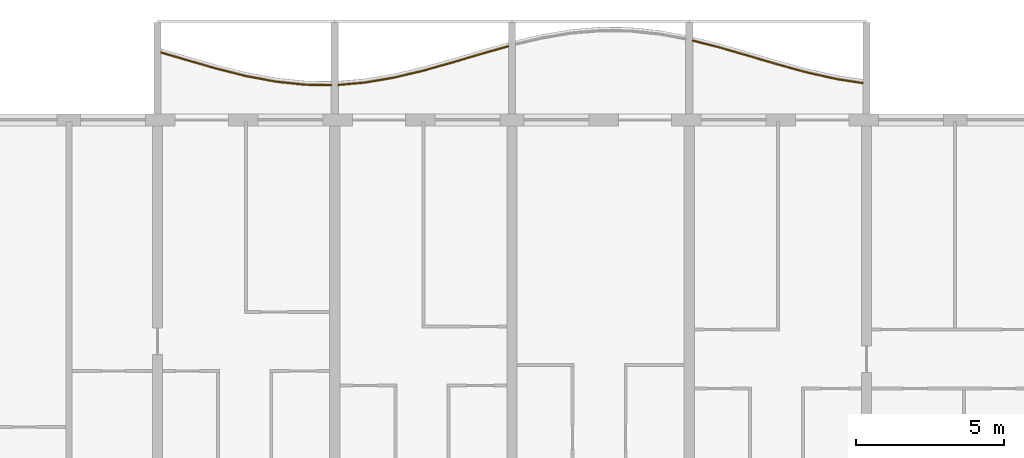
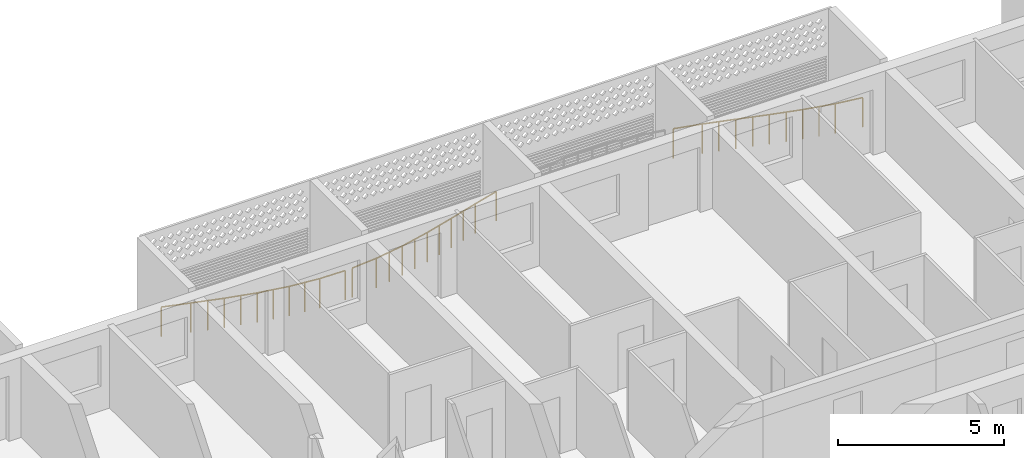
# One storey, part 19 of 24: 3 railings.
"""IFC4 building model written with IfcOpenShell, lengths in metres."""

from ifc_helpers import new_model, si_unit, direction, frame, origin, origin_2d, place, context, subcontext, project, spatial, circle, extrude, material, type_object, element, save


model = new_model("IFC4")

# Units and contexts
model_context = context("Model", 3, precision=1e-05, world=origin(), true_north=direction((0.0, 1.0)))
body_context = subcontext(model_context, "Body", "Model", "MODEL_VIEW")
ifc_project = project(units=[si_unit("LENGTHUNIT", "METRE"), si_unit("AREAUNIT", "SQUARE_METRE"), si_unit("VOLUMEUNIT", "CUBIC_METRE"), si_unit("PLANEANGLEUNIT", "RADIAN"), si_unit("MASSUNIT", "GRAM", prefix="KILO")], contexts=[model_context])

# Site, building, storey
site_placement = place(None, origin())
site = spatial("IfcSite", under=ifc_project, at=site_placement, CompositionType="ELEMENT")
building_placement = place(site_placement, origin())
building = spatial("IfcBuilding", under=site, at=building_placement, Name="Poui Terraces", CompositionType="ELEMENT")
storey_placement = place(building_placement, frame((0.0, 0.0, 112.5)))
storey = spatial("IfcBuildingStorey", under=building, at=storey_placement, Name="L31", CompositionType="ELEMENT", Elevation=112.5)

# Railings
ifc_material = material(Name="Painted steel fretwork", Category="steel")
railing_type = type_object("IfcRailingType", Name="BALCONY GUARD 1100", PredefinedType="GUARDRAIL", material=ifc_material)
railing_1_placement = place(storey_placement, frame((48.125, 45.8798828125, 0.0)))
element("IfcRailing", 1, at=railing_1_placement, inside=storey, type_object=railing_type, Name="BALCONY GUARD", PredefinedType="GUARDRAIL", context=body_context, shape_type="SweptSolid", body=[
    extrude(circle(Radius=0.02392578125, at=origin_2d()), frame((0.0, 0.0, 1.076171875), z_axis=(0.9587927149, -0.284106546658, 0.0), x_axis=(0.284106546658, 0.9587927149, 0.0)), (0.0, 0.0, 1.0), 0.91259765625),
    extrude(circle(Radius=0.02392578125, at=origin_2d()), frame((0.875, -0.25927734375, 1.076171875), z_axis=(0.960919647927, -0.276827437635, 0.0), x_axis=(0.276827437635, 0.960919647927, 0.0)), (0.0, 0.0, 1.0), 1.040771484375),
    extrude(circle(Radius=0.02392578125, at=origin_2d()), frame((1.875, -0.54736328125, 1.076171875), z_axis=(0.969919223088, -0.243426992513, 0.0), x_axis=(0.243426992513, 0.969919223088, 0.0)), (0.0, 0.0, 1.0), 1.031005859375),
    extrude(circle(Radius=0.02392578125, at=origin_2d()), frame((2.875, -0.79833984375, 1.076171875), z_axis=(0.982828697247, -0.184520329146, 0.0), x_axis=(0.184520329146, 0.982828697247, 0.0)), (0.0, 0.0, 1.0), 1.017578125),
    extrude(circle(Radius=0.02392578125, at=origin_2d()), frame((3.875, -0.986083984375, 1.076171875), z_axis=(0.994534683851, -0.104406717299, 0.0), x_axis=(0.104406717299, 0.994534683851, 0.0)), (0.0, 0.0, 1.0), 1.005615234375),
    extrude(circle(Radius=0.02392578125, at=origin_2d()), frame((4.875, -1.091064453125, 1.076171875), z_axis=(0.999835580397, -0.018133178774, 0.0), x_axis=(0.018133178774, 0.999835580397, 0.0)), (0.0, 0.0, 1.0), 0.875244140625),
    extrude(circle(Radius=0.02099609375, at=origin_2d()), origin(), (0.0, 0.0, 1.0), 1.052001953125),
    extrude(circle(Radius=0.02099609375, at=origin_2d()), frame((0.875, -0.25927734375, 0.0)), (0.0, 0.0, 1.0), 1.052001953125),
    extrude(circle(Radius=0.02099609375, at=origin_2d()), frame((1.375, -0.4033203125, 0.0)), (0.0, 0.0, 1.0), 1.052001953125),
    extrude(circle(Radius=0.02099609375, at=origin_2d()), frame((1.875, -0.54736328125, 0.0)), (0.0, 0.0, 1.0), 1.052001953125),
    extrude(circle(Radius=0.02099609375, at=origin_2d()), frame((2.375, -0.6728515625, 0.0)), (0.0, 0.0, 1.0), 1.052001953125),
    extrude(circle(Radius=0.02099609375, at=origin_2d()), frame((2.875, -0.79833984375, 0.0)), (0.0, 0.0, 1.0), 1.052001953125),
    extrude(circle(Radius=0.02099609375, at=origin_2d()), frame((3.375, -0.89208984375, 0.0)), (0.0, 0.0, 1.0), 1.052001953125),
    extrude(circle(Radius=0.02099609375, at=origin_2d()), frame((3.875, -0.986083984375, 0.0)), (0.0, 0.0, 1.0), 1.052001953125),
    extrude(circle(Radius=0.02099609375, at=origin_2d()), frame((4.375, -1.03857421875, 0.0)), (0.0, 0.0, 1.0), 1.052001953125),
    extrude(circle(Radius=0.02099609375, at=origin_2d()), frame((4.875, -1.091064453125, 0.0)), (0.0, 0.0, 1.0), 1.052001953125),
    extrude(circle(Radius=0.02099609375, at=origin_2d()), frame((5.75, -1.10693359375, 0.0)), (0.0, 0.0, 1.0), 1.052001953125),
])
railing_2_placement = place(storey_placement, frame((54.125, 44.781982421875, 0.0)))
element("IfcRailing", 2, at=railing_2_placement, inside=storey, type_object=railing_type, Name="BALCONY GUARD", PredefinedType="GUARDRAIL", context=body_context, shape_type="SweptSolid", body=[
    extrude(circle(Radius=0.02392578125, at=origin_2d()), frame((0.0, 0.0, 1.076171875), z_axis=(0.996111219323, 0.088104703272, 0.0), x_axis=(-0.088104703272, 0.996111219323, 0.0)), (0.0, 0.0, 1.0), 0.87841796875),
    extrude(circle(Radius=0.02392578125, at=origin_2d()), frame((0.875, 0.077392578125, 1.076171875), z_axis=(0.986106132513, 0.166116511581, 0.0), x_axis=(-0.166116511581, 0.986106132513, 0.0)), (0.0, 0.0, 1.0), 1.01416015625),
    extrude(circle(Radius=0.02392578125, at=origin_2d()), frame((1.875, 0.245849609375, 1.076171875), z_axis=(0.972979257535, 0.230892538653, 0.0), x_axis=(-0.230892538653, 0.972979257535, 0.0)), (0.0, 0.0, 1.0), 1.02783203125),
    extrude(circle(Radius=0.02392578125, at=origin_2d()), frame((2.875, 0.483154296875, 1.076171875), z_axis=(0.962589664763, 0.270963350457, 0.0), x_axis=(-0.270963350457, 0.962589664763, 0.0)), (0.0, 0.0, 1.0), 1.038818359375),
    extrude(circle(Radius=0.02392578125, at=origin_2d()), frame((3.875, 0.7646484375, 1.076171875), z_axis=(0.958646866278, 0.284598288426, 0.0), x_axis=(-0.284598288426, 0.958646866278, 0.0)), (0.0, 0.0, 1.0), 1.043212890625),
    extrude(circle(Radius=0.02392578125, at=origin_2d()), frame((4.875, 1.0615234375, 1.076171875), z_axis=(0.962089167331, 0.272735098775, 0.0), x_axis=(-0.272735098775, 0.962089167331, 0.0)), (0.0, 0.0, 1.0), 0.909423828125),
    extrude(circle(Radius=0.02099609375, at=origin_2d()), origin(), (0.0, 0.0, 1.0), 1.052001953125),
    extrude(circle(Radius=0.02099609375, at=origin_2d()), frame((0.875, 0.077392578125, 0.0)), (0.0, 0.0, 1.0), 1.052001953125),
    extrude(circle(Radius=0.02099609375, at=origin_2d()), frame((1.375, 0.16162109375, 0.0)), (0.0, 0.0, 1.0), 1.052001953125),
    extrude(circle(Radius=0.02099609375, at=origin_2d()), frame((1.875, 0.245849609375, 0.0)), (0.0, 0.0, 1.0), 1.052001953125),
    extrude(circle(Radius=0.02099609375, at=origin_2d()), frame((2.375, 0.364501953125, 0.0)), (0.0, 0.0, 1.0), 1.052001953125),
    extrude(circle(Radius=0.02099609375, at=origin_2d()), frame((2.875, 0.483154296875, 0.0)), (0.0, 0.0, 1.0), 1.052001953125),
    extrude(circle(Radius=0.02099609375, at=origin_2d()), frame((3.375, 0.6240234375, 0.0)), (0.0, 0.0, 1.0), 1.052001953125),
    extrude(circle(Radius=0.02099609375, at=origin_2d()), frame((3.875, 0.7646484375, 0.0)), (0.0, 0.0, 1.0), 1.052001953125),
    extrude(circle(Radius=0.02099609375, at=origin_2d()), frame((4.375, 0.9130859375, 0.0)), (0.0, 0.0, 1.0), 1.052001953125),
    extrude(circle(Radius=0.02099609375, at=origin_2d()), frame((4.875, 1.0615234375, 0.0)), (0.0, 0.0, 1.0), 1.052001953125),
    extrude(circle(Radius=0.02099609375, at=origin_2d()), frame((5.75, 1.3095703125, 0.0)), (0.0, 0.0, 1.0), 1.052001953125),
])
railing_3_placement = place(storey_placement, frame((66.125, 46.280029296875, 0.0)))
element("IfcRailing", 3, at=railing_3_placement, inside=storey, type_object=railing_type, Name="BALCONY GUARD", PredefinedType="GUARDRAIL", context=body_context, shape_type="SweptSolid", body=[
    extrude(circle(Radius=0.02392578125, at=origin_2d()), frame((0.0, 0.0, 1.076171875), z_axis=(0.969180569624, -0.246351422692, 0.0), x_axis=(0.246351422692, 0.969180569624, 0.0)), (0.0, 0.0, 1.0), 0.90283203125),
    extrude(circle(Radius=0.02392578125, at=origin_2d()), frame((0.875, -0.222412109375, 1.076171875), z_axis=(0.960857222001, -0.277044037887, 0.0), x_axis=(0.277044037887, 0.960857222001, 0.0)), (0.0, 0.0, 1.0), 1.040771484375),
    extrude(circle(Radius=0.02392578125, at=origin_2d()), frame((1.875, -0.5107421875, 1.076171875), z_axis=(0.958965639945, -0.283522312005, 0.0), x_axis=(0.283522312005, 0.958965639945, 0.0)), (0.0, 0.0, 1.0), 1.042724609375),
    extrude(circle(Radius=0.02392578125, at=origin_2d()), frame((2.875, -0.806396484375, 1.076171875), z_axis=(0.964709448785, -0.263316690367, 0.0), x_axis=(0.263316690367, 0.964709448785, 0.0)), (0.0, 0.0, 1.0), 1.03662109375),
    extrude(circle(Radius=0.02392578125, at=origin_2d()), frame((3.875, -1.079345703125, 1.076171875), z_axis=(0.976198274393, -0.216879987719, 0.0), x_axis=(0.216879987719, 0.976198274393, 0.0)), (0.0, 0.0, 1.0), 1.0244140625),
    extrude(circle(Radius=0.02392578125, at=origin_2d()), frame((4.875, -1.301513671875, 1.076171875), z_axis=(0.988387633133, -0.151953567482, 0.0), x_axis=(0.151953567482, 0.988387633133, 0.0)), (0.0, 0.0, 1.0), 0.88525390625),
    extrude(circle(Radius=0.02099609375, at=origin_2d()), origin(), (0.0, 0.0, 1.0), 1.052001953125),
    extrude(circle(Radius=0.02099609375, at=origin_2d()), frame((0.875, -0.222412109375, 0.0)), (0.0, 0.0, 1.0), 1.052001953125),
    extrude(circle(Radius=0.02099609375, at=origin_2d()), frame((1.375, -0.36669921875, 0.0)), (0.0, 0.0, 1.0), 1.052001953125),
    extrude(circle(Radius=0.02099609375, at=origin_2d()), frame((1.875, -0.5107421875, 0.0)), (0.0, 0.0, 1.0), 1.052001953125),
    extrude(circle(Radius=0.02099609375, at=origin_2d()), frame((2.375, -0.65869140625, 0.0)), (0.0, 0.0, 1.0), 1.052001953125),
    extrude(circle(Radius=0.02099609375, at=origin_2d()), frame((2.875, -0.806396484375, 0.0)), (0.0, 0.0, 1.0), 1.052001953125),
    extrude(circle(Radius=0.02099609375, at=origin_2d()), frame((3.375, -0.94287109375, 0.0)), (0.0, 0.0, 1.0), 1.052001953125),
    extrude(circle(Radius=0.02099609375, at=origin_2d()), frame((3.875, -1.079345703125, 0.0)), (0.0, 0.0, 1.0), 1.052001953125),
    extrude(circle(Radius=0.02099609375, at=origin_2d()), frame((4.375, -1.1904296875, 0.0)), (0.0, 0.0, 1.0), 1.052001953125),
    extrude(circle(Radius=0.02099609375, at=origin_2d()), frame((4.875, -1.301513671875, 0.0)), (0.0, 0.0, 1.0), 1.052001953125),
    extrude(circle(Radius=0.02099609375, at=origin_2d()), frame((5.75, -1.43603515625, 0.0)), (0.0, 0.0, 1.0), 1.052001953125),
])

save(model, "model.ifc")
